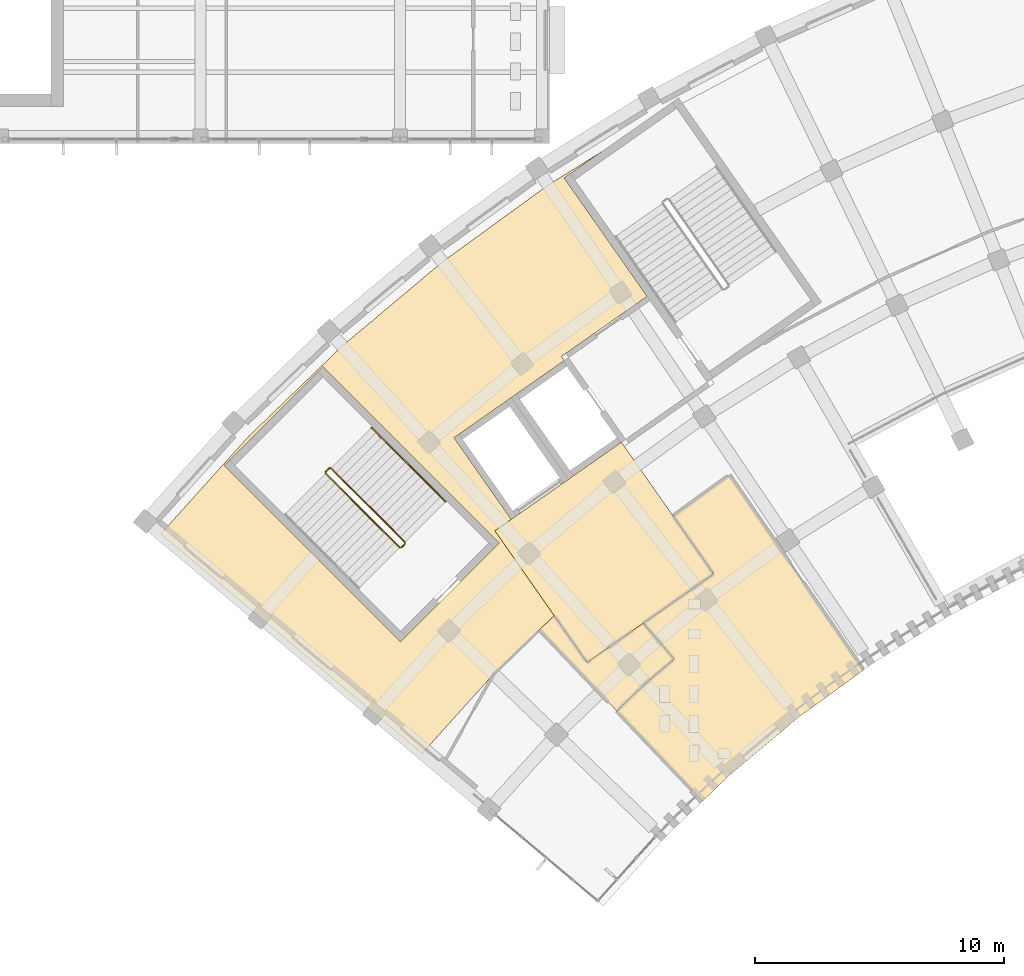
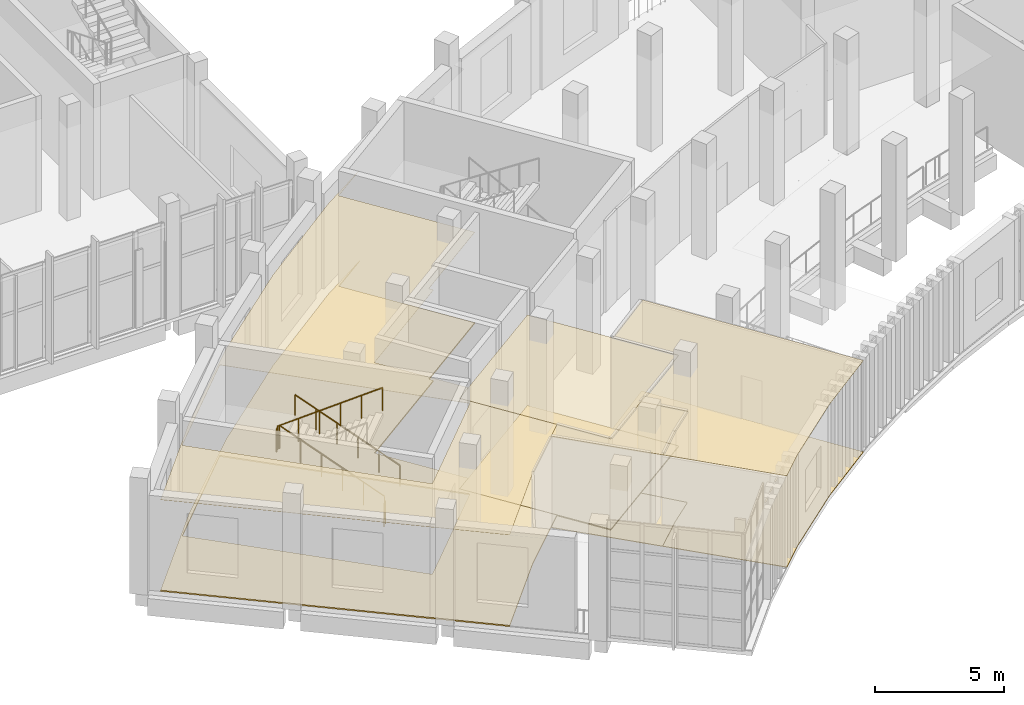
# One storey, part 79 of 112: 8 coverings, 5 railings.
"""IFC4 building model written with IfcOpenShell, lengths in metres."""

from ifc_helpers import new_model, si_unit, direction, frame, origin, origin_2d, place, context, subcontext, project, spatial, polyline, circle, outline, extrude, material, layer, layer_set, type_object, element, save


model = new_model("IFC4")

# Units and contexts
model_context = context("Model", 3, precision=1e-05, world=origin(), true_north=direction((0.0, 1.0)))
body_context = subcontext(model_context, "Body", "Model", "MODEL_VIEW")
ifc_project = project(units=[si_unit("LENGTHUNIT", "METRE"), si_unit("AREAUNIT", "SQUARE_METRE"), si_unit("VOLUMEUNIT", "CUBIC_METRE"), si_unit("PLANEANGLEUNIT", "RADIAN"), si_unit("MASSUNIT", "GRAM", prefix="KILO")], contexts=[model_context])

# Site, building, storey
site_placement = place(None, origin())
site = spatial("IfcSite", under=ifc_project, at=site_placement, CompositionType="ELEMENT")
building_placement = place(site_placement, origin())
building = spatial("IfcBuilding", under=site, at=building_placement, Name="Lunette Opera House", CompositionType="ELEMENT")
storey_placement = place(building_placement, frame((0.0, 0.0, 6.0)))
storey = spatial("IfcBuildingStorey", under=building, at=storey_placement, Name="L01", CompositionType="ELEMENT", Elevation=6.0)

# Railings
ifc_material_1 = material(Name="Steel S355", Category="steel")
railing_type_1 = type_object("IfcRailingType", Name="STAIR GUARD 1100", PredefinedType="GUARDRAIL", material=ifc_material_1)
railing_1_placement = place(storey_placement, frame((48.199951171875, 48.012451171875, 0.171875)))
element("IfcRailing", 1, at=railing_1_placement, inside=storey, type_object=railing_type_1, Name="L01 ST1 stair guard 1", PredefinedType="GUARDRAIL", context=body_context, shape_type="SweptSolid", body=[
    extrude(circle(Radius=0.02392578125, at=origin_2d()), frame((0.0, 0.0, 1.076171875), z_axis=(-0.602621891009, 0.602621891009, 0.523157445664), x_axis=(-0.707106781187, -0.707106781187, 0.0)), (0.0, 0.0, 1.0), 4.927978515625),
    extrude(circle(Radius=0.02099609375, at=origin_2d()), origin(), (0.0, 0.0, 1.0), 1.052001953125),
    extrude(circle(Radius=0.02099609375, at=origin_2d()), frame((-0.593994140625, 0.593994140625, 0.515625)), (0.0, 0.0, 1.0), 1.052001953125),
    extrude(circle(Radius=0.02099609375, at=origin_2d()), frame((-1.18798828125, 1.18798828125, 1.03125)), (0.0, 0.0, 1.0), 1.052001953125),
    extrude(circle(Radius=0.02099609375, at=origin_2d()), frame((-1.78173828125, 1.78173828125, 1.546875)), (0.0, 0.0, 1.0), 1.052001953125),
    extrude(circle(Radius=0.02099609375, at=origin_2d()), frame((-2.375732421875, 2.375732421875, 2.0625)), (0.0, 0.0, 1.0), 1.052001953125),
    extrude(circle(Radius=0.02099609375, at=origin_2d()), frame((-2.9697265625, 2.9697265625, 2.578125)), (0.0, 0.0, 1.0), 1.052001953125),
])
railing_2_placement = place(storey_placement, frame((45.159423828125, 50.982177734375, 2.75)))
element("IfcRailing", 2, at=railing_2_placement, inside=storey, type_object=railing_type_1, Name="L01 ST1 stair guard 2", PredefinedType="GUARDRAIL", context=body_context, shape_type="SweptSolid", body=[
    extrude(circle(Radius=0.02392578125, at=origin_2d()), frame((0.0, 0.0, 1.076171875), z_axis=(-0.707106781187, -0.707106781187, 0.0), x_axis=(0.707106781187, -0.707106781187, 0.0)), (0.0, 0.0, 1.0), 0.2001953125),
    extrude(circle(Radius=0.02099609375, at=origin_2d()), origin(), (0.0, 0.0, 1.0), 1.052001953125),
    extrude(circle(Radius=0.02099609375, at=origin_2d()), frame((-0.1416015625, -0.1416015625, 0.0)), (0.0, 0.0, 1.0), 1.052001953125),
])
railing_3_placement = place(storey_placement, frame((45.017822265625, 50.769775390625, 2.921875)))
element("IfcRailing", 3, at=railing_3_placement, inside=storey, type_object=railing_type_1, Name="L01 ST1 stair guard 3", PredefinedType="GUARDRAIL", context=body_context, shape_type="SweptSolid", body=[
    extrude(circle(Radius=0.02392578125, at=origin_2d()), frame((0.0, 0.0, 1.076171875), z_axis=(0.602621891009, -0.602621891009, 0.523157445664), x_axis=(0.707106781187, 0.707106781187, 0.0)), (0.0, 0.0, 1.0), 4.927978515625),
    extrude(circle(Radius=0.02099609375, at=origin_2d()), origin(), (0.0, 0.0, 1.0), 1.052001953125),
    extrude(circle(Radius=0.02099609375, at=origin_2d()), frame((0.593994140625, -0.593994140625, 0.515625)), (0.0, 0.0, 1.0), 1.052001953125),
    extrude(circle(Radius=0.02099609375, at=origin_2d()), frame((1.18798828125, -1.18798828125, 1.03125)), (0.0, 0.0, 1.0), 1.052001953125),
    extrude(circle(Radius=0.02099609375, at=origin_2d()), frame((1.78173828125, -1.78173828125, 1.546875)), (0.0, 0.0, 1.0), 1.052001953125),
    extrude(circle(Radius=0.02099609375, at=origin_2d()), frame((2.375732421875, -2.375732421875, 2.0625)), (0.0, 0.0, 1.0), 1.052001953125),
    extrude(circle(Radius=0.02099609375, at=origin_2d()), frame((2.9697265625, -2.9697265625, 2.578125)), (0.0, 0.0, 1.0), 1.052001953125),
])
railing_4_placement = place(storey_placement, frame((48.199951171875, 47.941650390625, 0.0)))
element("IfcRailing", 4, at=railing_4_placement, inside=storey, type_object=railing_type_1, Name="L01 ST1 stair guard 4", PredefinedType="GUARDRAIL", context=body_context, shape_type="SweptSolid", body=[
    extrude(circle(Radius=0.02392578125, at=origin_2d()), frame((0.0, 0.0, 1.076171875), z_axis=(-0.707106781187, -0.707106781187, 0.0), x_axis=(0.707106781187, -0.707106781187, 0.0)), (0.0, 0.0, 1.0), 0.2001953125),
    extrude(circle(Radius=0.02099609375, at=origin_2d()), origin(), (0.0, 0.0, 1.0), 1.052001953125),
    extrude(circle(Radius=0.02099609375, at=origin_2d()), frame((-0.1416015625, -0.1416015625, 0.0)), (0.0, 0.0, 1.0), 1.052001953125),
])
ifc_material_2 = material(Name="Steel S355", Category="steel")
railing_type_2 = type_object("IfcRailingType", Name="STAIR HANDRAIL 1000", PredefinedType="HANDRAIL", material=ifc_material_2)
railing_5_placement = place(storey_placement, frame((49.826416015625, 49.638671875, 0.171875)))
element("IfcRailing", 5, at=railing_5_placement, inside=storey, type_object=railing_type_2, Name="L01 ST1 stair handrail 1", PredefinedType="HANDRAIL", context=body_context, shape_type="SweptSolid", body=[
    extrude(circle(Radius=0.02392578125, at=origin_2d()), frame((0.0, 0.0, 0.97607421875), z_axis=(-0.602635448971, 0.602635448971, 0.523126209711), x_axis=(-0.707106781187, -0.707106781187, 0.0)), (0.0, 0.0, 1.0), 4.92822265625),
    extrude(circle(Radius=0.02099609375, at=origin_2d()), origin(), (0.0, 0.0, 1.0), 0.951904296875),
    extrude(circle(Radius=0.02099609375, at=origin_2d()), frame((-0.593994140625, 0.593994140625, 0.515625)), (0.0, 0.0, 1.0), 0.951904296875),
    extrude(circle(Radius=0.02099609375, at=origin_2d()), frame((-1.18798828125, 1.18798828125, 1.03125)), (0.0, 0.0, 1.0), 0.951904296875),
    extrude(circle(Radius=0.02099609375, at=origin_2d()), frame((-1.781982421875, 1.781982421875, 1.546875)), (0.0, 0.0, 1.0), 0.951904296875),
    extrude(circle(Radius=0.02099609375, at=origin_2d()), frame((-2.3759765625, 2.3759765625, 2.0625)), (0.0, 0.0, 1.0), 0.951904296875),
    extrude(circle(Radius=0.02099609375, at=origin_2d()), frame((-2.969970703125, 2.969970703125, 2.578125)), (0.0, 0.0, 1.0), 0.951904296875),
])

# Coverings
ifc_material_3 = material(Name="Mineral fibre board")
ifc_layer_1 = layer(ifc_material_3, 0.014892578125)
ifc_layer_set_1 = layer_set([ifc_layer_1], Name="Mineral fibre board")
covering_type_1 = type_object("IfcCoveringType", Name="SUSPENDED ACOUSTIC CEILING 15", PredefinedType="CEILING", material=ifc_layer_set_1)
covering_1_placement = place(storey_placement, frame((0.0, 0.0, 4.31494140625)))
element("IfcCovering", 6, at=covering_1_placement, inside=storey, type_object=covering_type_1, Name="Ceiling Open Lift Lobby L01 West", PredefinedType="CEILING", context=body_context, shape_type="SweptSolid", body=[
    extrude(outline(polyline([(60.5859375, 46.739990234375), (56.886962890625, 52.02392578125), (51.80810546875, 48.468017578125), (55.508056640625, 43.18408203125), (60.5859375, 46.739990234375)])), origin(), (0.0, 0.0, 1.0), 0.01513671875),
])
covering_2_placement = place(storey_placement, frame((0.0, 0.0, 4.31494140625)))
element("IfcCovering", 7, at=covering_2_placement, inside=storey, type_object=covering_type_1, Name="Ceiling Accessible WC L01", PredefinedType="CEILING", context=body_context, shape_type="SweptSolid", body=[
    extrude(outline(polyline([(54.18896484375, 45.06689453125), (55.508056640625, 43.18408203125), (57.763916015625, 44.763916015625), (59.0, 43.31591796875), (57.860107421875, 42.35888671875), (56.701904296875, 41.240966796875), (53.59912109375, 44.4970703125), (54.18896484375, 45.06689453125)])), origin(), (0.0, 0.0, 1.0), 0.01513671875),
])
covering_3_placement = place(storey_placement, frame((0.0, 0.0, 4.31494140625)))
element("IfcCovering", 8, at=covering_3_placement, inside=storey, type_object=covering_type_1, Name="Ceiling Public WC L01", PredefinedType="CEILING", context=body_context, shape_type="SweptSolid", body=[
    extrude(outline(polyline([(60.14892578125, 37.6240234375), (56.701904296875, 41.240966796875), (57.860107421875, 42.35888671875), (59.0, 43.31591796875), (57.763916015625, 44.763916015625), (60.5859375, 46.739990234375), (58.9609375, 49.06103515625), (61.22509765625, 50.7060546875), (66.596923828125, 42.8740234375), (63.986083984375, 40.97705078125), (61.205078125, 38.64404296875), (60.14892578125, 37.6240234375)])), origin(), (0.0, 0.0, 1.0), 0.01513671875),
])
covering_4_placement = place(storey_placement, frame((0.0, 0.0, 4.31494140625)))
element("IfcCovering", 9, at=covering_4_placement, inside=storey, type_object=covering_type_1, Name="Ceiling Promenade Foyer L01 Rear", PredefinedType="CEILING", context=body_context, shape_type="SweptSolid", body=[
    extrude(outline(polyline([(51.80810546875, 48.468017578125), (54.18896484375, 45.06689453125), (53.59912109375, 44.4970703125), (51.760986328125, 42.720947265625), (48.887939453125, 39.531005859375), (46.972900390625, 41.137939453125), (38.39404296875, 48.337890625), (41.906005859375, 52.238037109375), (45.680908203125, 55.884033203125), (49.701904296875, 59.258056640625), (53.948974609375, 62.343994140625), (56.18603515625, 63.741943359375), (54.591064453125, 62.625), (57.91796875, 57.8740234375), (54.47705078125, 55.464111328125), (54.592041015625, 55.300048828125), (52.462890625, 53.80908203125), (50.1689453125, 52.202880859375), (52.462890625, 48.927001953125), (51.80810546875, 48.468017578125)]), holes=[polyline([(44.912109375, 55.048095703125), (40.951904296875, 51.087890625), (48.02294921875, 44.01708984375), (51.98291015625, 47.97705078125), (44.912109375, 55.048095703125)])]), origin(), (0.0, 0.0, 1.0), 0.01513671875),
])
ifc_material_4 = material(Name="Terrazzo")
ifc_layer_2 = layer(ifc_material_4, 0.06005859375)
ifc_layer_set_2 = layer_set([ifc_layer_2], Name="Terrazzo")
covering_type_2 = type_object("IfcCoveringType", Name="TERRAZZO FLOOR FINISH 60", PredefinedType="FLOORING", material=ifc_layer_set_2)
covering_5_placement = place(storey_placement, origin())
element("IfcCovering", 10, at=covering_5_placement, inside=storey, type_object=covering_type_2, Name="Floor finish Open Lift Lobby L01 West", PredefinedType="FLOORING", context=body_context, shape_type="SweptSolid", body=[
    extrude(outline(polyline([(60.5859375, 46.739990234375), (56.886962890625, 52.02392578125), (51.80810546875, 48.468017578125), (55.508056640625, 43.18408203125), (60.5859375, 46.739990234375)])), origin(), (0.0, 0.0, 1.0), 0.06005859375),
])
covering_6_placement = place(storey_placement, origin())
element("IfcCovering", 11, at=covering_6_placement, inside=storey, type_object=covering_type_2, Name="Floor finish Promenade Foyer L01 Rear", PredefinedType="FLOORING", context=body_context, shape_type="SweptSolid", body=[
    extrude(outline(polyline([(51.80810546875, 48.468017578125), (54.18896484375, 45.06689453125), (53.59912109375, 44.4970703125), (51.760986328125, 42.720947265625), (48.887939453125, 39.531005859375), (46.972900390625, 41.137939453125), (38.39404296875, 48.337890625), (41.906005859375, 52.238037109375), (45.680908203125, 55.884033203125), (49.701904296875, 59.258056640625), (53.948974609375, 62.343994140625), (56.18603515625, 63.741943359375), (54.591064453125, 62.625), (57.91796875, 57.8740234375), (54.47705078125, 55.464111328125), (54.592041015625, 55.300048828125), (52.462890625, 53.80908203125), (50.1689453125, 52.202880859375), (52.462890625, 48.927001953125), (51.80810546875, 48.468017578125)]), holes=[polyline([(44.912109375, 55.048095703125), (40.951904296875, 51.087890625), (48.02294921875, 44.01708984375), (51.98291015625, 47.97705078125), (44.912109375, 55.048095703125)])]), origin(), (0.0, 0.0, 1.0), 0.06005859375),
])
ifc_material_5 = material(Name="Ceramic tile")
ifc_layer_3 = layer(ifc_material_5, 0.02490234375)
ifc_layer_set_3 = layer_set([ifc_layer_3], Name="Ceramic tile")
covering_type_3 = type_object("IfcCoveringType", Name="TILED FLOOR FINISH 25", PredefinedType="FLOORING", material=ifc_layer_set_3)
covering_7_placement = place(storey_placement, origin())
element("IfcCovering", 12, at=covering_7_placement, inside=storey, type_object=covering_type_3, Name="Floor finish Accessible WC L01", PredefinedType="FLOORING", context=body_context, shape_type="SweptSolid", body=[
    extrude(outline(polyline([(54.18896484375, 45.06689453125), (55.508056640625, 43.18408203125), (57.763916015625, 44.763916015625), (59.0, 43.31591796875), (57.860107421875, 42.35888671875), (56.701904296875, 41.240966796875), (53.59912109375, 44.4970703125), (54.18896484375, 45.06689453125)])), origin(), (0.0, 0.0, 1.0), 0.02490234375),
])
covering_8_placement = place(storey_placement, origin())
element("IfcCovering", 13, at=covering_8_placement, inside=storey, type_object=covering_type_3, Name="Floor finish Public WC L01", PredefinedType="FLOORING", context=body_context, shape_type="SweptSolid", body=[
    extrude(outline(polyline([(60.14892578125, 37.6240234375), (56.701904296875, 41.240966796875), (57.860107421875, 42.35888671875), (59.0, 43.31591796875), (57.763916015625, 44.763916015625), (60.5859375, 46.739990234375), (58.9609375, 49.06103515625), (61.22509765625, 50.7060546875), (66.596923828125, 42.8740234375), (63.986083984375, 40.97705078125), (61.205078125, 38.64404296875), (60.14892578125, 37.6240234375)])), origin(), (0.0, 0.0, 1.0), 0.02490234375),
])

save(model, "model.ifc")
